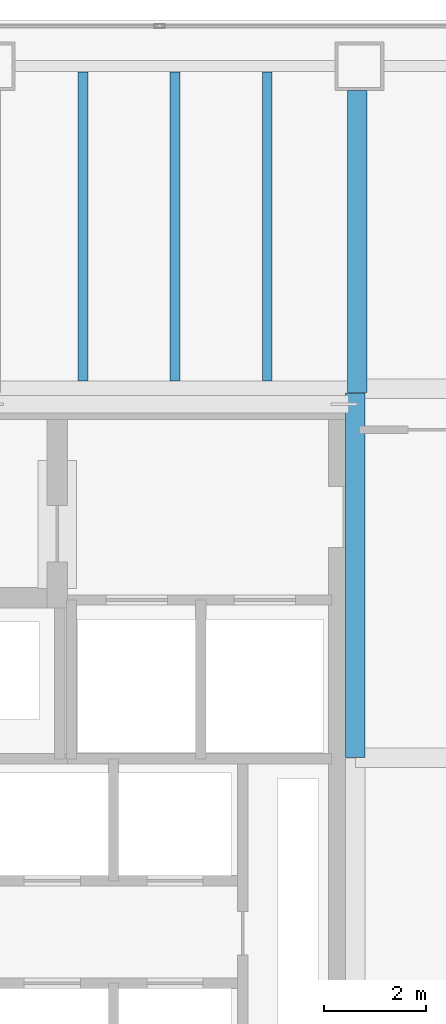
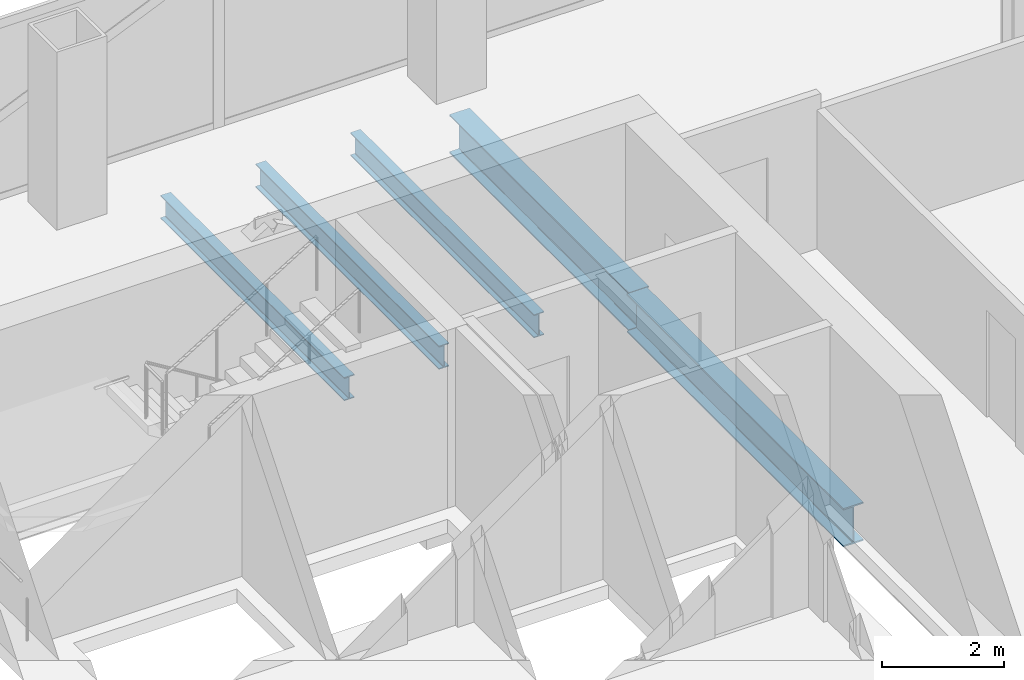
# One storey, part 15 of 23: 5 beams.
"""IFC4 building model written with IfcOpenShell, lengths in metres."""

from ifc_helpers import new_model, si_unit, direction, frame, origin, origin_2d, place, context, subcontext, project, spatial, i_section, extrude, material, material_profile, profile_set, type_object, element, save


model = new_model("IFC4")

# Units and contexts
model_context = context("Model", 3, precision=1e-05, world=origin(), true_north=direction((0.0, 1.0)))
body_context = subcontext(model_context, "Body", "Model", "MODEL_VIEW")
ifc_project = project(units=[si_unit("LENGTHUNIT", "METRE"), si_unit("AREAUNIT", "SQUARE_METRE"), si_unit("VOLUMEUNIT", "CUBIC_METRE"), si_unit("PLANEANGLEUNIT", "RADIAN"), si_unit("MASSUNIT", "GRAM", prefix="KILO")], contexts=[model_context])

# Site, building, storey
site_placement = place(None, origin())
site = spatial("IfcSite", under=ifc_project, at=site_placement, CompositionType="ELEMENT")
building_placement = place(site_placement, origin())
building = spatial("IfcBuilding", under=site, at=building_placement, Name="Cobrela Telecom Tower", CompositionType="ELEMENT")
storey_placement = place(building_placement, frame((0.0, 0.0, 88.89990234375)))
storey = spatial("IfcBuildingStorey", under=building, at=storey_placement, Name="L22", CompositionType="ELEMENT", Elevation=88.89990234375)

# Beams
ifc_material = material(Name="Steel ASTM A992 Grade 50", Category="steel")
ifc_material_profile_1 = material_profile(ifc_material, i_section(OverallWidth=0.381103515625, OverallDepth=0.77197265625, WebThickness=0.0166015625, FlangeThickness=0.027099609375, FilletRadius=0.01904296875, at=origin_2d()), Name="W30X173")
ifc_profile_set_1 = profile_set([ifc_material_profile_1], Name="Steel ASTM A992 Grade 50")
beam_type_1 = type_object("IfcBeamType", Name="BM-GIRD-04", PredefinedType="USERDEFINED", material=ifc_profile_set_1)
beam_1_placement = place(storey_placement, frame((14.320068359375, 28.804931640625, -0.666015625), z_axis=(0.0, 1.0, 0.0), x_axis=(-1.0, 0.0, 0.0)))
element("IfcBeam", 1, at=beam_1_placement, inside=storey, type_object=beam_type_1, Name="L22 Primary Girder Y38", ObjectType="GIRDER", PredefinedType="USERDEFINED", context=body_context, shape_type="SweptSolid", body=[
    extrude(i_section(OverallWidth=0.381103515625, OverallDepth=0.77197265625, WebThickness=0.0166015625, FlangeThickness=0.027099609375, FilletRadius=0.01904296875, at=origin_2d()), origin(), (0.0, 0.0, 1.0), 7.110107421875),
])
beam_2_placement = place(storey_placement, frame((14.360107421875, 35.925048828125, -0.666015625), z_axis=(0.0, 1.0, 0.0), x_axis=(-1.0, 0.0, 0.0)))
element("IfcBeam", 2, at=beam_2_placement, inside=storey, type_object=beam_type_1, Name="L22 Primary Girder Y39", ObjectType="GIRDER", PredefinedType="USERDEFINED", context=body_context, shape_type="SweptSolid", body=[
    extrude(i_section(OverallWidth=0.381103515625, OverallDepth=0.77197265625, WebThickness=0.0166015625, FlangeThickness=0.027099609375, FilletRadius=0.01904296875, at=origin_2d()), origin(), (0.0, 0.0, 1.0), 5.89501953125),
])
ifc_material_profile_2 = material_profile(ifc_material, i_section(OverallWidth=0.193115234375, OverallDepth=0.467041015625, WebThickness=0.011474609375, FlangeThickness=0.01904296875, FilletRadius=0.012939453125, at=origin_2d()), Name="W18X65")
ifc_profile_set_2 = profile_set([ifc_material_profile_2], Name="Steel ASTM A992 Grade 50")
beam_type_2 = type_object("IfcBeamType", Name="BM-JOIST-03", PredefinedType="JOIST", material=ifc_profile_set_2)
for number, where, z_axis, x_axis, name in (
    (3, (9.0, 36.155517578125, -0.513427734375), (0.0, 1.0, 0.0), (-1.0, 0.0, 0.0), "L22 Secondary Composite Floor Beam J02"),
    (4, (10.800048828125, 36.155517578125, -0.513427734375), (0.0, 1.0, 0.0), (-1.0, 0.0, 0.0), "L22 Secondary Composite Floor Beam J04"),
    (5, (12.60009765625, 36.155517578125, -0.513427734375), (0.0, 1.0, 0.0), (-1.0, 0.0, 0.0), "L22 Secondary Composite Floor Beam J06"),
):
    element("IfcBeam", number, at=place(storey_placement, frame(where, z_axis=z_axis, x_axis=x_axis)), inside=storey, type_object=beam_type_2, Name=name, PredefinedType="JOIST", context=body_context, shape_type="SweptSolid", body=[
        extrude(i_section(OverallWidth=0.193115234375, OverallDepth=0.467041015625, WebThickness=0.011474609375, FlangeThickness=0.01904296875, FilletRadius=0.012939453125, at=origin_2d()), origin(), (0.0, 0.0, 1.0), 6.032958984375),
    ])

save(model, "model.ifc")
